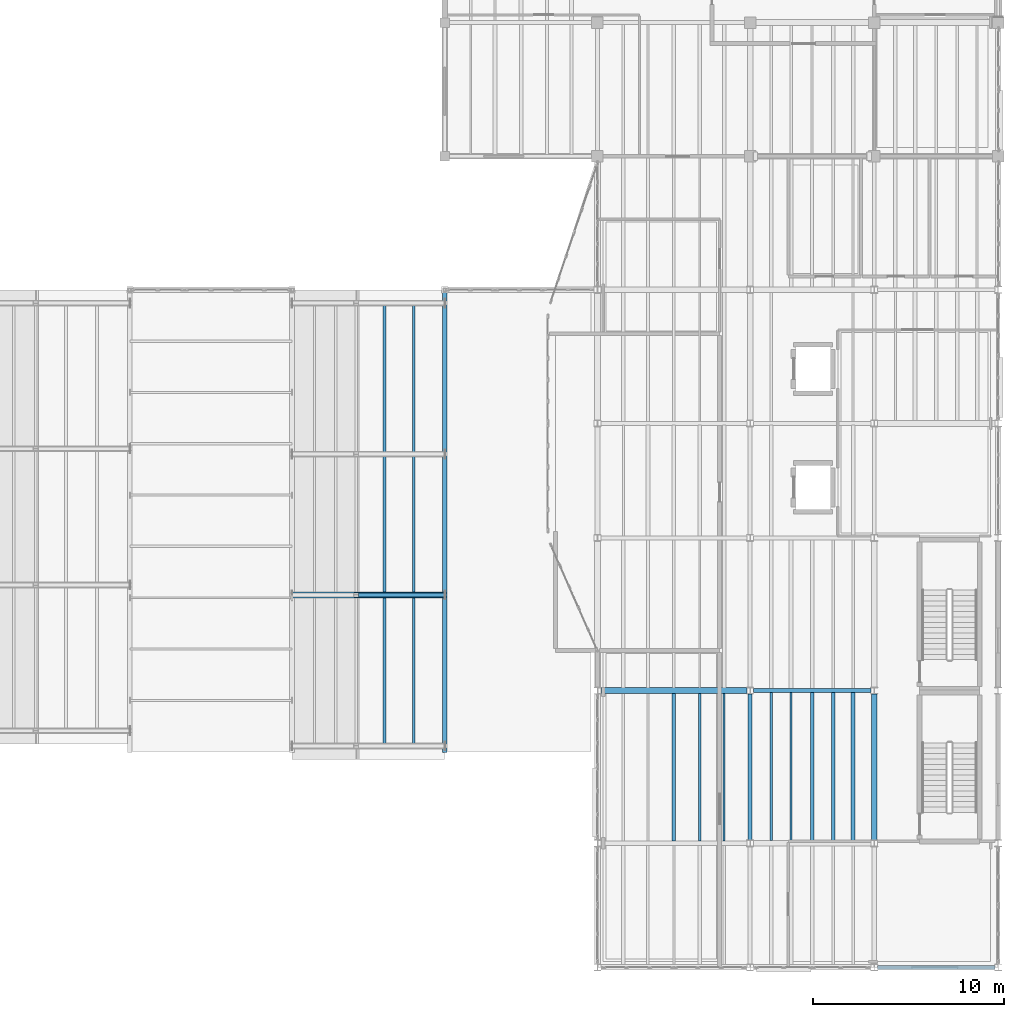
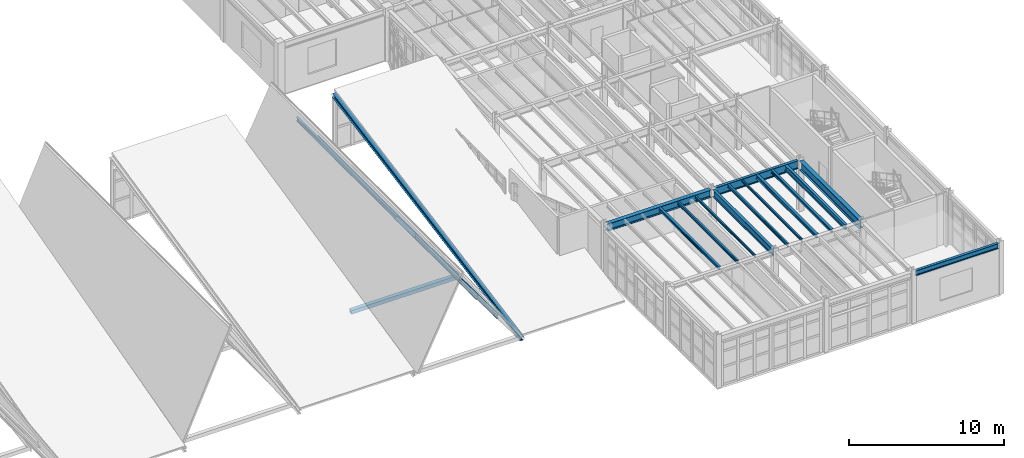
# One storey, part 30 of 77: 13 beams, 5 members.
"""IFC4 building model written with IfcOpenShell, lengths in metres."""

from ifc_helpers import new_model, si_unit, direction, frame, origin, origin_2d, place, context, subcontext, project, spatial, hollow_rectangle, i_section, extrude, material, material_profile, profile_set, type_object, element, save


model = new_model("IFC4")

# Units and contexts
model_context = context("Model", 3, precision=1e-05, world=origin(), true_north=direction((0.0, 1.0)))
body_context = subcontext(model_context, "Body", "Model", "MODEL_VIEW")
ifc_project = project(units=[si_unit("LENGTHUNIT", "METRE"), si_unit("AREAUNIT", "SQUARE_METRE"), si_unit("VOLUMEUNIT", "CUBIC_METRE"), si_unit("PLANEANGLEUNIT", "RADIAN"), si_unit("MASSUNIT", "GRAM", prefix="KILO"), si_unit("THERMODYNAMICTEMPERATUREUNIT", "KELVIN"), si_unit("POWERUNIT", "WATT")], contexts=[model_context])

# Site, building, storey
site_placement = place(None, origin())
site = spatial("IfcSite", under=ifc_project, at=site_placement, CompositionType="ELEMENT")
building_placement = place(site_placement, origin())
building = spatial("IfcBuilding", under=site, at=building_placement, Name="Zhenchuan Central Fire Station", CompositionType="ELEMENT")
storey_placement = place(building_placement, frame((0.0, 0.0, 10.050048828125)))
storey = spatial("IfcBuildingStorey", under=building, at=storey_placement, Name="L03", CompositionType="ELEMENT", Elevation=10.050048828125)

# Beams
ifc_material = material(Name="Steel Q355B", Category="steel")
ifc_material_profile_1 = material_profile(ifc_material, i_section(OverallWidth=0.300048828125, OverallDepth=0.587890625, WebThickness=0.011962890625, FlangeThickness=0.02001953125, FilletRadius=0.02392578125, at=origin_2d()), Name="HM 588x300")
ifc_profile_set_1 = profile_set([ifc_material_profile_1], Name="Steel Q355B")
beam_type_1 = type_object("IfcBeamType", Name="BM-HM588", PredefinedType="BEAM", material=ifc_profile_set_1)
beam_1_placement = place(storey_placement, frame((140.175048828125, 14.5, 3.7060546875), z_axis=(1.0, 0.0, 0.0), x_axis=(0.0, 1.0, 0.0)))
element("IfcBeam", 1, at=beam_1_placement, inside=storey, type_object=beam_type_1, Name="L04 Girder EW 0352", PredefinedType="BEAM", context=body_context, shape_type="SweptSolid", body=[
    extrude(i_section(OverallWidth=0.300048828125, OverallDepth=0.587890625, WebThickness=0.011962890625, FlangeThickness=0.02001953125, FilletRadius=0.02392578125, at=origin_2d()), origin(), (0.0, 0.0, 1.0), 7.64990234375),
])
ifc_material_profile_2 = material_profile(ifc_material, i_section(OverallWidth=0.199951171875, OverallDepth=0.550048828125, WebThickness=0.010009765625, FlangeThickness=0.01611328125, FilletRadius=0.02001953125, at=origin_2d()), Name="HN 550x200")
ifc_profile_set_2 = profile_set([ifc_material_profile_2], Name="Steel Q355B")
beam_type_2 = type_object("IfcBeamType", Name="BM-HN550-INT", PredefinedType="BEAM", material=ifc_profile_set_2)
beam_2_placement = place(storey_placement, frame((148.0, 6.675048828125, 3.724853515625), z_axis=(0.0, 1.0, 0.0), x_axis=(-1.0, 0.0, 0.0)))
element("IfcBeam", 2, at=beam_2_placement, inside=storey, type_object=beam_type_2, Name="L04 Girder NS 0410", PredefinedType="BEAM", context=body_context, shape_type="SweptSolid", body=[
    extrude(i_section(OverallWidth=0.199951171875, OverallDepth=0.550048828125, WebThickness=0.010009765625, FlangeThickness=0.01611328125, FilletRadius=0.02001953125, at=origin_2d()), origin(), (0.0, 0.0, 1.0), 7.64990234375),
])
ifc_material_profile_3 = material_profile(ifc_material, i_section(OverallWidth=0.199951171875, OverallDepth=0.64990234375, WebThickness=0.011962890625, FlangeThickness=0.02001953125, FilletRadius=0.02197265625, at=origin_2d()), Name="HN 650x200")
ifc_profile_set_3 = profile_set([ifc_material_profile_3], Name="Steel Q355B")
beam_type_3 = type_object("IfcBeamType", Name="BM-HN650", PredefinedType="BEAM", material=ifc_profile_set_3)
beam_3_placement = place(storey_placement, frame((148.175048828125, 14.5, 3.675048828125), z_axis=(1.0, 0.0, 0.0), x_axis=(0.0, 1.0, 0.0)))
element("IfcBeam", 3, at=beam_3_placement, inside=storey, type_object=beam_type_3, Name="L04 Girder EW 0353", PredefinedType="BEAM", context=body_context, shape_type="SweptSolid", body=[
    extrude(i_section(OverallWidth=0.199951171875, OverallDepth=0.64990234375, WebThickness=0.011962890625, FlangeThickness=0.02001953125, FilletRadius=0.02197265625, at=origin_2d()), origin(), (0.0, 0.0, 1.0), 6.14990234375),
])
ifc_material_profile_4 = material_profile(ifc_material, i_section(OverallWidth=0.300048828125, OverallDepth=0.699951171875, WebThickness=0.012939453125, FlangeThickness=0.02392578125, FilletRadius=0.02392578125, at=origin_2d()), Name="HN 700x300")
ifc_profile_set_4 = profile_set([ifc_material_profile_4], Name="Steel Q355B")
beam_type_4 = type_object("IfcBeamType", Name="BM-HN700", PredefinedType="BEAM", material=ifc_profile_set_4)
beam_4_placement = place(storey_placement, frame((154.5, 6.675048828125, 3.64990234375), z_axis=(0.0, 1.0, 0.0), x_axis=(-1.0, 0.0, 0.0)))
element("IfcBeam", 4, at=beam_4_placement, inside=storey, type_object=beam_type_4, Name="L04 Girder NS 0417", PredefinedType="BEAM", context=body_context, shape_type="SweptSolid", body=[
    extrude(i_section(OverallWidth=0.300048828125, OverallDepth=0.699951171875, WebThickness=0.012939453125, FlangeThickness=0.02392578125, FilletRadius=0.02392578125, at=origin_2d()), origin(), (0.0, 0.0, 1.0), 7.64990234375),
])
ifc_material_profile_5 = material_profile(ifc_material, i_section(OverallWidth=0.175048828125, OverallDepth=0.243896484375, WebThickness=0.007080078125, FlangeThickness=0.010986328125, FilletRadius=0.012939453125, at=origin_2d()), Name="HM 244x175")
ifc_profile_set_5 = profile_set([ifc_material_profile_5], Name="Steel Q355B")
beam_type_5 = type_object("IfcBeamType", Name="JS-HM244", PredefinedType="JOIST", material=ifc_profile_set_5)
beam_5_placement = place(storey_placement, frame((144.0, 6.6220703125, 3.8779296875), z_axis=(0.0, 1.0, 0.0), x_axis=(-1.0, 0.0, 0.0)))
element("IfcBeam", 5, at=beam_5_placement, inside=storey, type_object=beam_type_5, Name="L04 Secondary Joist 0582", PredefinedType="JOIST", context=body_context, shape_type="SweptSolid", body=[
    extrude(i_section(OverallWidth=0.175048828125, OverallDepth=0.243896484375, WebThickness=0.007080078125, FlangeThickness=0.010986328125, FilletRadius=0.012939453125, at=origin_2d()), origin(), (0.0, 0.0, 1.0), 7.73095703125),
])
beam_6_placement = place(storey_placement, frame((152.35498046875, 6.64697265625, 3.8779296875), z_axis=(0.0, 1.0, 0.0), x_axis=(-1.0, 0.0, 0.0)))
element("IfcBeam", 6, at=beam_6_placement, inside=storey, type_object=beam_type_5, Name="L04 Secondary Joist 0588", PredefinedType="JOIST", context=body_context, shape_type="SweptSolid", body=[
    extrude(i_section(OverallWidth=0.175048828125, OverallDepth=0.243896484375, WebThickness=0.007080078125, FlangeThickness=0.010986328125, FilletRadius=0.012939453125, at=origin_2d()), origin(), (0.0, 0.0, 1.0), 7.756103515625),
])
ifc_material_profile_6 = material_profile(ifc_material, i_section(OverallWidth=0.199951171875, OverallDepth=0.2939453125, WebThickness=0.008056640625, FlangeThickness=0.011962890625, FilletRadius=0.01611328125, at=origin_2d()), Name="HM 294x200")
ifc_profile_set_6 = profile_set([ifc_material_profile_6], Name="Steel Q355B")
beam_type_6 = type_object("IfcBeamType", Name="JS-HM294", PredefinedType="JOIST", material=ifc_profile_set_6)
beam_7_placement = place(storey_placement, frame((151.25, 6.64697265625, 3.85302734375), z_axis=(0.0, 1.0, 0.0), x_axis=(-1.0, 0.0, 0.0)))
element("IfcBeam", 7, at=beam_7_placement, inside=storey, type_object=beam_type_6, Name="L04 Secondary Joist 0587", PredefinedType="JOIST", context=body_context, shape_type="SweptSolid", body=[
    extrude(i_section(OverallWidth=0.199951171875, OverallDepth=0.2939453125, WebThickness=0.008056640625, FlangeThickness=0.011962890625, FilletRadius=0.01611328125, at=origin_2d()), origin(), (0.0, 0.0, 1.0), 7.756103515625),
])
ifc_material_profile_7 = material_profile(ifc_material, i_section(OverallWidth=0.10009765625, OverallDepth=0.199951171875, WebThickness=0.005615234375, FlangeThickness=0.008056640625, FilletRadius=0.010986328125, at=origin_2d()), Name="HN 200x100")
ifc_profile_set_7 = profile_set([ifc_material_profile_7], Name="Steel Q355B")
beam_type_7 = type_object("IfcBeamType", Name="JS-HN200", PredefinedType="JOIST", material=ifc_profile_set_7)
beam_8_placement = place(storey_placement, frame((146.639892578125, 6.6220703125, 3.89990234375), z_axis=(0.0, 1.0, 0.0), x_axis=(-1.0, 0.0, 0.0)))
element("IfcBeam", 8, at=beam_8_placement, inside=storey, type_object=beam_type_7, Name="L04 Secondary Joist 0584", PredefinedType="JOIST", context=body_context, shape_type="SweptSolid", body=[
    extrude(i_section(OverallWidth=0.10009765625, OverallDepth=0.199951171875, WebThickness=0.005615234375, FlangeThickness=0.008056640625, FilletRadius=0.010986328125, at=origin_2d()), origin(), (0.0, 0.0, 1.0), 7.73095703125),
])
beam_9_placement = place(storey_placement, frame((150.14501953125, 6.64697265625, 3.89990234375), z_axis=(0.0, 1.0, 0.0), x_axis=(-1.0, 0.0, 0.0)))
element("IfcBeam", 9, at=beam_9_placement, inside=storey, type_object=beam_type_7, Name="L04 Secondary Joist 0586", PredefinedType="JOIST", context=body_context, shape_type="SweptSolid", body=[
    extrude(i_section(OverallWidth=0.10009765625, OverallDepth=0.199951171875, WebThickness=0.005615234375, FlangeThickness=0.008056640625, FilletRadius=0.010986328125, at=origin_2d()), origin(), (0.0, 0.0, 1.0), 7.756103515625),
])
ifc_material_profile_8 = material_profile(ifc_material, i_section(OverallWidth=0.125, OverallDepth=0.25, WebThickness=0.006103515625, FlangeThickness=0.009033203125, FilletRadius=0.011962890625, at=origin_2d()), Name="HN 250x125")
ifc_profile_set_8 = profile_set([ifc_material_profile_8], Name="Steel Q355B")
beam_type_8 = type_object("IfcBeamType", Name="JS-HN250", PredefinedType="JOIST", material=ifc_profile_set_8)
beam_10_placement = place(storey_placement, frame((145.360107421875, 6.6220703125, 3.875), z_axis=(0.0, 1.0, 0.0), x_axis=(-1.0, 0.0, 0.0)))
element("IfcBeam", 10, at=beam_10_placement, inside=storey, type_object=beam_type_8, Name="L04 Secondary Joist 0583", PredefinedType="JOIST", context=body_context, shape_type="SweptSolid", body=[
    extrude(i_section(OverallWidth=0.125, OverallDepth=0.25, WebThickness=0.006103515625, FlangeThickness=0.009033203125, FilletRadius=0.011962890625, at=origin_2d()), origin(), (0.0, 0.0, 1.0), 7.73095703125),
])
beam_11_placement = place(storey_placement, frame((149.10498046875, 6.64697265625, 3.875), z_axis=(0.0, 1.0, 0.0), x_axis=(-1.0, 0.0, 0.0)))
element("IfcBeam", 11, at=beam_11_placement, inside=storey, type_object=beam_type_8, Name="L04 Secondary Joist 0585", PredefinedType="JOIST", context=body_context, shape_type="SweptSolid", body=[
    extrude(i_section(OverallWidth=0.125, OverallDepth=0.25, WebThickness=0.006103515625, FlangeThickness=0.009033203125, FilletRadius=0.011962890625, at=origin_2d()), origin(), (0.0, 0.0, 1.0), 7.756103515625),
])
ifc_material_profile_9 = material_profile(ifc_material, i_section(OverallWidth=0.199951171875, OverallDepth=0.39990234375, WebThickness=0.008056640625, FlangeThickness=0.012939453125, FilletRadius=0.01611328125, at=origin_2d()), Name="HN 400x200")
ifc_profile_set_9 = profile_set([ifc_material_profile_9], Name="Steel Q355B")
beam_type_9 = type_object("IfcBeamType", Name="JS-HN400", PredefinedType="JOIST", material=ifc_profile_set_9)
beam_12_placement = place(storey_placement, frame((153.39501953125, 6.64697265625, 3.800048828125), z_axis=(0.0, 1.0, 0.0), x_axis=(-1.0, 0.0, 0.0)))
element("IfcBeam", 12, at=beam_12_placement, inside=storey, type_object=beam_type_9, Name="L04 Secondary Joist 0589", PredefinedType="JOIST", context=body_context, shape_type="SweptSolid", body=[
    extrude(i_section(OverallWidth=0.199951171875, OverallDepth=0.39990234375, WebThickness=0.008056640625, FlangeThickness=0.012939453125, FilletRadius=0.01611328125, at=origin_2d()), origin(), (0.0, 0.0, 1.0), 7.756103515625),
])

# Members
ifc_material_profile_10 = material_profile(ifc_material, i_section(OverallWidth=0.14990234375, OverallDepth=0.300048828125, WebThickness=0.006591796875, FlangeThickness=0.009033203125, FilletRadius=0.012939453125, at=origin_2d()), Name="HN 300x150")
ifc_profile_set_10 = profile_set([ifc_material_profile_10], Name="Steel Q355B")
member_type_1 = type_object("IfcMemberType", Name="MB-PR-HN300", PredefinedType="PURLIN", material=ifc_profile_set_10)
for number, where, z_axis, x_axis, name in (
    (13, (130.3759765625, 11.60009765625, 1.80908203125), (0.0, 1.0, 0.0), (-1.0, 0.0, 0.0), "Pavilion H09 East Roof Purlin 1"),
    (14, (128.8447265625, 11.60009765625, 3.8544921875), (0.0, 1.0, 0.0), (-1.0, 0.0, 0.0), "Pavilion H09 East Roof Purlin 2"),
):
    element("IfcMember", number, at=place(storey_placement, frame(where, z_axis=z_axis, x_axis=x_axis)), inside=storey, type_object=member_type_1, Name=name, PredefinedType="PURLIN", context=body_context, shape_type="SweptSolid", body=[
        extrude(i_section(OverallWidth=0.14990234375, OverallDepth=0.300048828125, WebThickness=0.006591796875, FlangeThickness=0.009033203125, FilletRadius=0.012939453125, at=origin_2d()), origin(), (0.0, 0.0, 1.0), 23.199951171875),
    ])
ifc_material_profile_11 = material_profile(ifc_material, hollow_rectangle(XDim=0.300048828125, YDim=0.300048828125, WallThickness=0.011962890625, at=origin_2d()), Name="SHS 300x300x12")
ifc_profile_set_11 = profile_set([ifc_material_profile_11], Name="Steel Q355B")
member_type_2 = type_object("IfcMemberType", Name="MB-PS-HW250", PredefinedType="POST", material=ifc_profile_set_11)
member_1_placement = place(storey_placement, frame((124.0, 19.510009765625, -0.330078125), z_axis=(1.0, 0.0, 0.0), x_axis=(0.0, 1.0, 0.0)))
element("IfcMember", 15, at=member_1_placement, inside=storey, type_object=member_type_2, Name="Pavilion H09 Gable Bottom Chord 2", PredefinedType="CHORD", context=body_context, shape_type="SweptSolid", body=[
    extrude(hollow_rectangle(XDim=0.300048828125, YDim=0.300048828125, WallThickness=0.011962890625, at=origin_2d()), origin(), (0.0, 0.0, 1.0), 8.0),
])
ifc_material_profile_12 = material_profile(ifc_material, i_section(OverallWidth=0.199951171875, OverallDepth=0.2939453125, WebThickness=0.008056640625, FlangeThickness=0.011962890625, FilletRadius=0.01611328125, at=origin_2d()), Name="HM 294x200")
ifc_profile_set_12 = profile_set([ifc_material_profile_12], Name="Steel Q355B")
member_type_3 = type_object("IfcMemberType", Name="MB-RF-HM294", PredefinedType="RAFTER", material=ifc_profile_set_12)
member_2_placement = place(storey_placement, frame((127.360107421875, 19.510009765625, 5.897705078125), z_axis=(0.597446839201, 0.0, -0.801908519925), x_axis=(0.0, 1.0, 0.0)))
element("IfcMember", 16, at=member_2_placement, inside=storey, type_object=member_type_3, Name="Pavilion H09 East Gable Rafter 2", PredefinedType="RAFTER", context=body_context, shape_type="SweptSolid", body=[
    extrude(i_section(OverallWidth=0.199951171875, OverallDepth=0.2939453125, WebThickness=0.008056640625, FlangeThickness=0.011962890625, FilletRadius=0.01611328125, at=origin_2d()), origin(), (0.0, 0.0, 1.0), 7.76611328125),
])
ifc_material_profile_13 = material_profile(ifc_material, i_section(OverallWidth=0.25, OverallDepth=0.340087890625, WebThickness=0.009033203125, FlangeThickness=0.013916015625, FilletRadius=0.01806640625, at=origin_2d()), Name="HM 340x250")
ifc_profile_set_13 = profile_set([ifc_material_profile_13], Name="Steel Q355B")
member_type_4 = type_object("IfcMemberType", Name="MB-RF-HM340", PredefinedType="RAFTER", material=ifc_profile_set_13)
member_3_placement = place(storey_placement, frame((132.0, 11.300048828125, -0.300048828125), z_axis=(0.0, 0.983273320814, 0.182136148457), x_axis=(-1.0, 0.0, 0.0)))
element("IfcMember", 17, at=member_3_placement, inside=storey, type_object=member_type_4, Name="Pavilion H10 Sawtooth Rafter 1", PredefinedType="RAFTER", context=body_context, shape_type="SweptSolid", body=[
    extrude(i_section(OverallWidth=0.25, OverallDepth=0.340087890625, WebThickness=0.009033203125, FlangeThickness=0.013916015625, FilletRadius=0.01806640625, at=origin_2d()), origin(), (0.0, 0.0, 1.0), 24.611572265625),
])

# Beam
ifc_material_profile_14 = material_profile(ifc_material, i_section(OverallWidth=0.199951171875, OverallDepth=0.39990234375, WebThickness=0.008056640625, FlangeThickness=0.012939453125, FilletRadius=0.01611328125, at=origin_2d()), Name="HN 400x200")
ifc_profile_set_14 = profile_set([ifc_material_profile_14], Name="Steel Q355B")
beam_type_10 = type_object("IfcBeamType", Name="SP-HN400", PredefinedType="SPANDREL", material=ifc_profile_set_14)
beam_13_placement = place(storey_placement, frame((154.675048828125, 0.0, 3.800048828125), z_axis=(1.0, 0.0, 0.0), x_axis=(0.0, 1.0, 0.0)))
element("IfcBeam", 18, at=beam_13_placement, inside=storey, type_object=beam_type_10, Name="L04 Girder EW 0349", PredefinedType="SPANDREL", context=body_context, shape_type="SweptSolid", body=[
    extrude(i_section(OverallWidth=0.199951171875, OverallDepth=0.39990234375, WebThickness=0.008056640625, FlangeThickness=0.012939453125, FilletRadius=0.01611328125, at=origin_2d()), origin(), (0.0, 0.0, 1.0), 6.14990234375),
])

save(model, "model.ifc")
